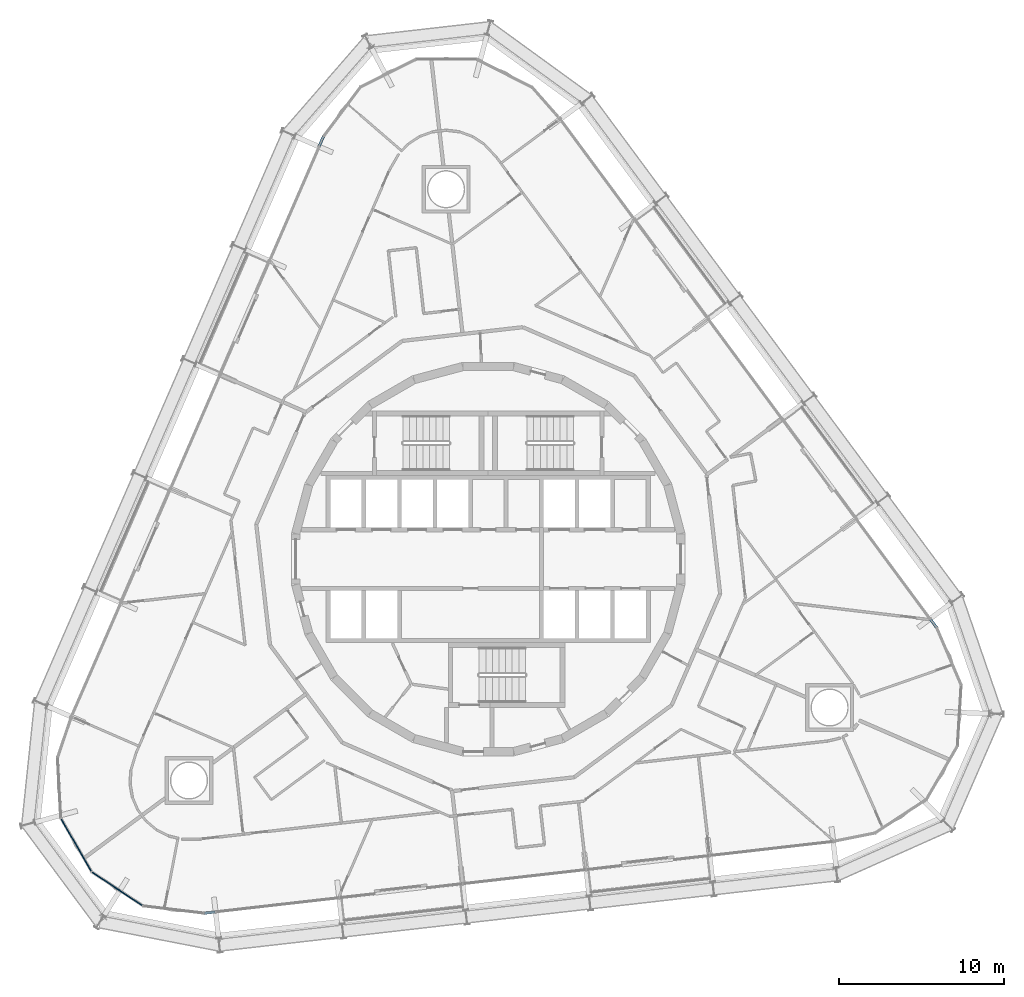
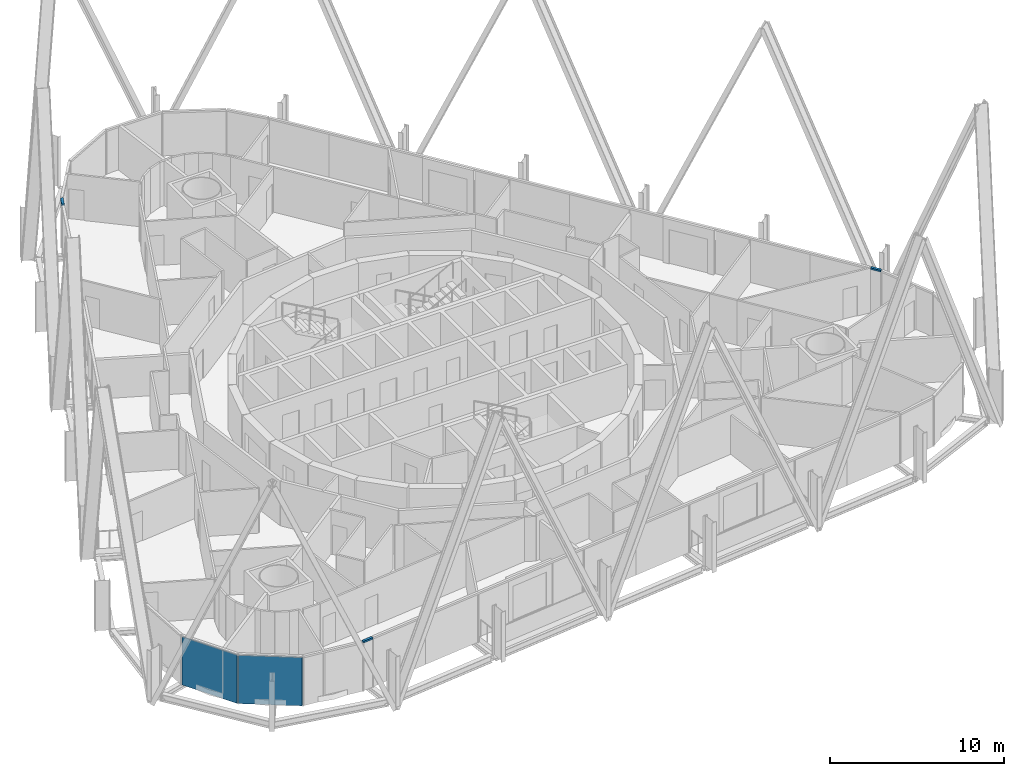
# One storey, part 12 of 23: 3 members, 2 plates, 3 elements without a shape of their own.
"""IFC4 building model written with IfcOpenShell, lengths in metres."""

from ifc_helpers import new_model, si_unit, direction, frame, origin, origin_2d, place, context, subcontext, project, spatial, rectangle, extrude, material, layer, layer_set, material_profile, profile_set, type_object, element, aggregate, save


model = new_model("IFC4")

# Units and contexts
model_context = context("Model", 3, precision=1e-05, world=origin(), true_north=direction((0.0, 1.0)))
body_context = subcontext(model_context, "Body", "Model", "MODEL_VIEW")
ifc_project = project(units=[si_unit("LENGTHUNIT", "METRE"), si_unit("AREAUNIT", "SQUARE_METRE"), si_unit("VOLUMEUNIT", "CUBIC_METRE"), si_unit("PLANEANGLEUNIT", "RADIAN"), si_unit("MASSUNIT", "GRAM", prefix="KILO")], contexts=[model_context])

# Site, building, storey
site_placement = place(None, origin())
site = spatial("IfcSite", under=ifc_project, at=site_placement, CompositionType="ELEMENT")
building_placement = place(site_placement, origin())
building = spatial("IfcBuilding", under=site, at=building_placement, Name="Spindle Arch Residences", CompositionType="ELEMENT")
storey_placement = place(building_placement, frame((0.0, 0.0, 90.699951171875)))
storey = spatial("IfcBuildingStorey", under=building, at=storey_placement, Name="L21", CompositionType="ELEMENT", Elevation=90.699951171875)

# Curtain wall, member
ifc_material_1 = material(Name="Aluminium bronze unitised frame with tinted glass", Category="aluminium")
ifc_layer_1 = layer(ifc_material_1, 0.159912109375)
ifc_layer_set_1 = layer_set([ifc_layer_1], Name="CW-D corner wall on the fillet arcs")
curtain_wall_type = type_object("IfcCurtainWallType", Name="CW-D corner wall on the fillet arcs", PredefinedType="NOTDEFINED", material=ifc_layer_set_1)
curtain_wall_1_placement = place(storey_placement, origin())
curtain_wall_1 = element("IfcCurtainWall", 1, at=curtain_wall_1_placement, inside=storey, type_object=curtain_wall_type, Name="CW-D L21 run 1", PredefinedType="NOTDEFINED")
ifc_material_2 = material(Name="Aluminium bronze anodised transom", Category="aluminium")
ifc_material_profile = material_profile(ifc_material_2, rectangle(XDim=0.159912109375, YDim=0.1201171875, at=origin_2d()), Name="TR 120x160")
ifc_profile_set = profile_set([ifc_material_profile], Name="Aluminium bronze anodised transom")
member_type = type_object("IfcMemberType", Name="Bronze transom 120x160", PredefinedType="USERDEFINED", material=ifc_profile_set)
member_1_placement = place(storey_placement, frame((27.125, -4.1474609375, 3.06005859375), z_axis=(-0.594872516249, 0.803820060344, 0.0), x_axis=(-0.803820060344, -0.594872516249, 0.0)))
member_1 = element("IfcMember", 2, at=member_1_placement, type_object=member_type, Name="CW-D transom 05", ObjectType="TRANSOM", PredefinedType="USERDEFINED", context=body_context, shape_type="SweptSolid", body=[
    extrude(rectangle(XDim=0.159912109375, YDim=0.1201171875, at=origin_2d()), origin(), (0.0, 0.0, 1.0), 0.641357421875),
])
aggregate(curtain_wall_1, [member_1])

curtain_wall_2_placement = place(storey_placement, origin())
curtain_wall_2 = element("IfcCurtainWall", 3, at=curtain_wall_2_placement, inside=storey, type_object=curtain_wall_type, Name="CW-D L21 run 3", PredefinedType="NOTDEFINED")
member_2_placement = place(storey_placement, frame((-9.970703125, 25.564697265625, 3.06005859375), z_axis=(-0.398461689222, -0.917184977102, 0.0), x_axis=(0.917184977102, -0.398461689222, 0.0)))
member_2 = element("IfcMember", 4, at=member_2_placement, type_object=member_type, Name="CW-D transom 05", ObjectType="TRANSOM", PredefinedType="USERDEFINED", context=body_context, shape_type="SweptSolid", body=[
    extrude(rectangle(XDim=0.159912109375, YDim=0.1201171875, at=origin_2d()), origin(), (0.0, 0.0, 1.0), 0.6416015625),
])
aggregate(curtain_wall_2, [member_2])

# Curtain wall, member, plates
curtain_wall_3_placement = place(storey_placement, origin())
curtain_wall_3 = element("IfcCurtainWall", 5, at=curtain_wall_3_placement, inside=storey, type_object=curtain_wall_type, Name="CW-D L21 run 5", PredefinedType="NOTDEFINED")
member_3_placement = place(storey_placement, frame((-17.154296875, -21.417236328125, 3.06005859375), z_axis=(0.993549832432, 0.113396342422, 0.0), x_axis=(-0.113396342422, 0.993549832432, 0.0)))
member_3 = element("IfcMember", 6, at=member_3_placement, type_object=member_type, Name="CW-D transom 05", ObjectType="TRANSOM", PredefinedType="USERDEFINED", context=body_context, shape_type="SweptSolid", body=[
    extrude(rectangle(XDim=0.159912109375, YDim=0.1201171875, at=origin_2d()), origin(), (0.0, 0.0, 1.0), 0.6416015625),
])
ifc_material_3 = material(Name="Tinted double glazing over aluminium faced non-combustible spandrel zone (K0)", Category="aluminium")
ifc_layer_2 = layer(ifc_material_3, 0.06005859375)
ifc_layer_set_2 = layer_set([ifc_layer_2], Name="Unitised glass panel with E 60 spandrel zone")
plate_type = type_object("IfcPlateType", Name="Unitised glass panel with E 60 spandrel zone", PredefinedType="CURTAIN_PANEL", material=ifc_layer_set_2)
plate_1_placement = place(storey_placement, frame((-24.919189453125, -17.3037109375, -0.3798828125), z_axis=(0.0, 0.0, 1.0), x_axis=(0.497478721595, -0.867476179247, 0.0)))
plate_1 = element("IfcPlate", 7, at=plate_1_placement, type_object=plate_type, Name="CW-D unit 02", PredefinedType="CURTAIN_PANEL", context=body_context, shape_type="SweptSolid", body=[
    extrude(rectangle(XDim=3.666748046875, YDim=0.06005859375, at=origin_2d()), origin(), (0.0, 0.0, 1.0), 3.3798828125),
])
plate_2_placement = place(storey_placement, frame((-22.438232421875, -19.94873046875, -0.3798828125), z_axis=(0.0, 0.0, 1.0), x_axis=(0.833885820352, -0.551936987903, 0.0)))
plate_2 = element("IfcPlate", 8, at=plate_2_placement, type_object=plate_type, Name="CW-D unit 03", PredefinedType="CURTAIN_PANEL", context=body_context, shape_type="SweptSolid", body=[
    extrude(rectangle(XDim=3.666748046875, YDim=0.06005859375, at=origin_2d()), origin(), (0.0, 0.0, 1.0), 3.3798828125),
])
aggregate(curtain_wall_3, [plate_1, plate_2, member_3])

save(model, "model.ifc")
